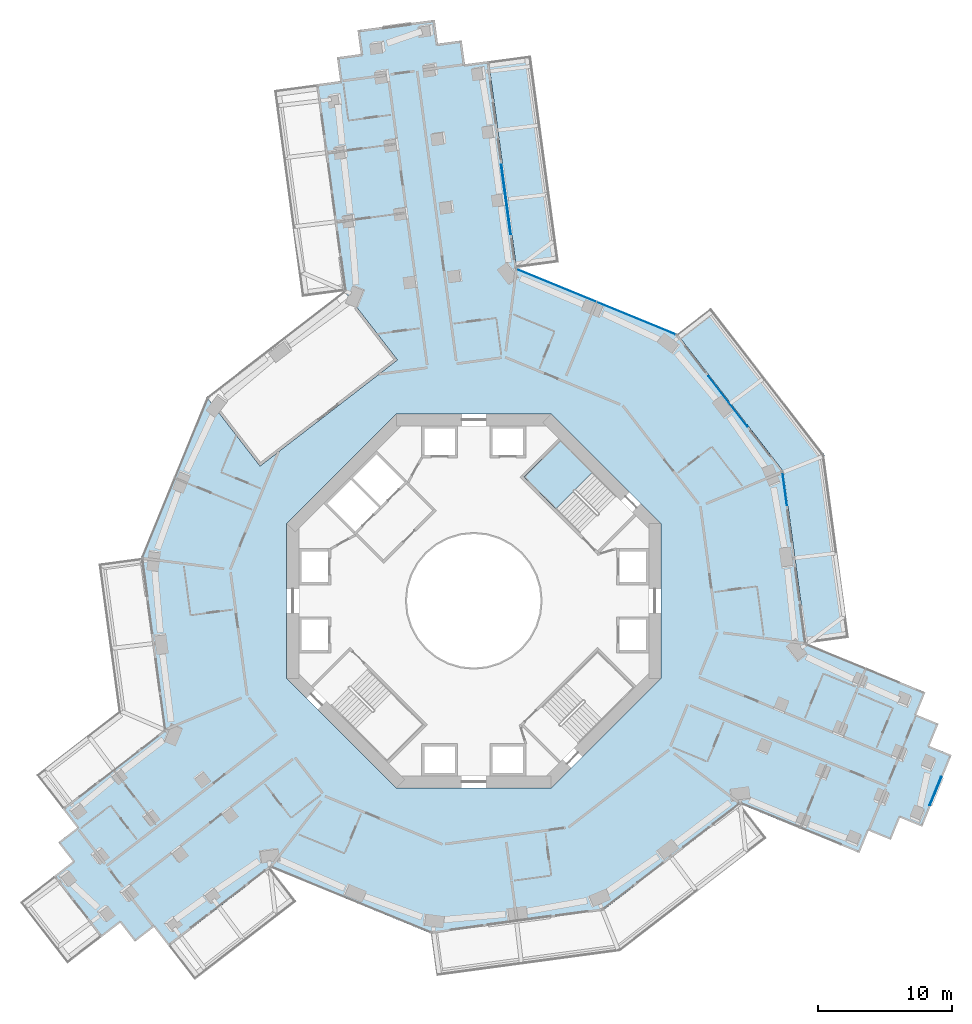
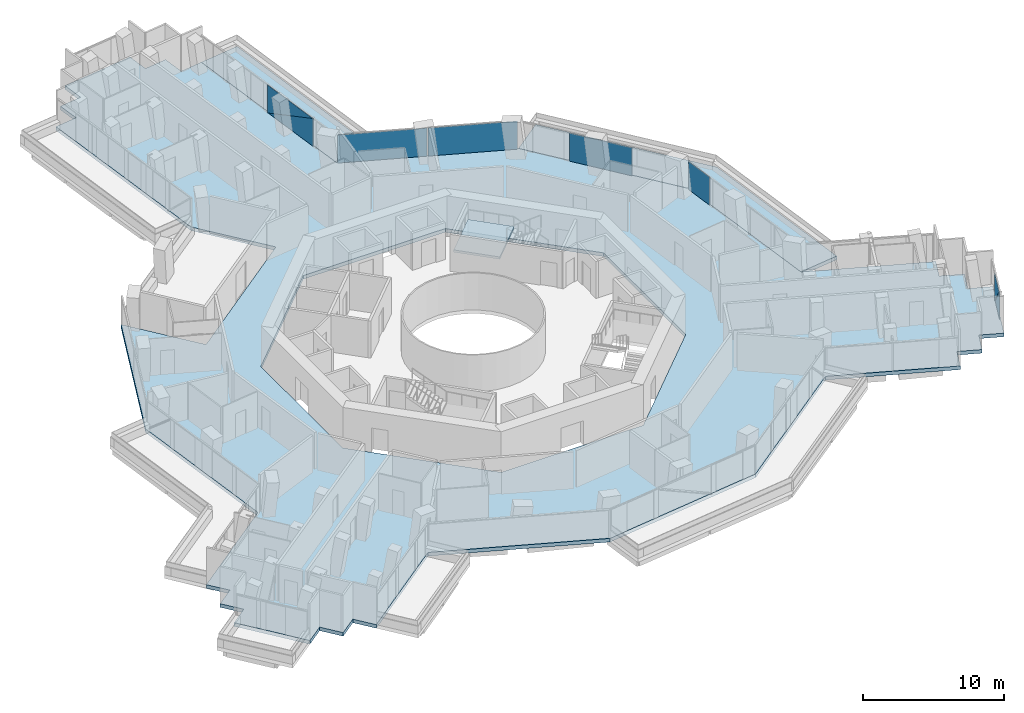
# One storey, part 16 of 27: 8 plates, 4 slabs, 6 elements without a shape of their own.
"""IFC4 building model written with IfcOpenShell, lengths in metres."""

from ifc_helpers import new_model, si_unit, direction, frame, origin, origin_2d, place, context, subcontext, project, spatial, polyline, rectangle, outline, extrude, material, layer, layer_set, type_object, element, aggregate, save


model = new_model("IFC4")

# Units and contexts
model_context = context("Model", 3, precision=1e-05, world=origin(), true_north=direction((0.0, 1.0)))
body_context = subcontext(model_context, "Body", "Model", "MODEL_VIEW")
ifc_project = project(units=[si_unit("LENGTHUNIT", "METRE"), si_unit("AREAUNIT", "SQUARE_METRE"), si_unit("VOLUMEUNIT", "CUBIC_METRE"), si_unit("PLANEANGLEUNIT", "RADIAN"), si_unit("MASSUNIT", "GRAM", prefix="KILO")], contexts=[model_context])

# Site, building, storey
site_placement = place(None, origin())
site = spatial("IfcSite", under=ifc_project, at=site_placement, CompositionType="ELEMENT")
building_placement = place(site_placement, origin())
building = spatial("IfcBuilding", under=site, at=building_placement, Name="Verdalira Terraces Hotel", CompositionType="ELEMENT")
storey_placement = place(building_placement, frame((0.0, 0.0, 64.5)))
storey = spatial("IfcBuildingStorey", under=building, at=storey_placement, Name="L14", CompositionType="ELEMENT", Elevation=64.5)

# Slabs
ifc_material_1 = material(Name="Precast concrete C40/50", Category="concrete")
ifc_layer_1 = layer(ifc_material_1, 0.31005859375)
ifc_layer_set_1 = layer_set([ifc_layer_1], Name="Balcony deck 310")
slab_type_1 = type_object("IfcSlabType", Name="Balcony deck 310", PredefinedType="FLOOR", material=ifc_layer_set_1)
slab_1_placement = place(storey_placement, frame((0.0, 0.0, -0.310059)))
element("IfcSlab", 1, at=slab_1_placement, inside=storey, type_object=slab_type_1, Name="Balcony deck", PredefinedType="FLOOR", context=body_context, shape_type="SweptSolid", body=[
    extrude(outline(polyline([(17.758301, 21.928223), (15.22583, 19.972168), (23.172119, 9.683594), (24.909424, -3.199707), (28.080566, -2.772217), (26.22876, 10.960938), (17.758301, 21.928223)])), origin(), (0.0, 0.0, 1.0), 0.310059),
])
slab_2_placement = place(storey_placement, frame((0.0, 0.0, -0.310059)))
element("IfcSlab", 2, at=slab_2_placement, inside=storey, type_object=slab_type_1, Name="Balcony deck", PredefinedType="FLOOR", context=body_context, shape_type="SweptSolid", body=[
    extrude(outline(polyline([(4.283447, 40.817871), (1.112305, 40.390137), (3.199707, 24.909424), (6.371094, 25.337158), (4.283447, 40.817871)])), origin(), (0.0, 0.0, 1.0), 0.310059),
])

# Curtain wall, plate
ifc_material_2 = material(Name="Clear glass", Category="glass")
ifc_layer_2 = layer(ifc_material_2, 0.14990234375)
ifc_layer_set_2 = layer_set([ifc_layer_2], Name="CW1 curtain wall")
curtain_wall_type_1 = type_object("IfcCurtainWallType", Name="CW1 curtain wall", PredefinedType="NOTDEFINED", material=ifc_layer_set_2)
curtain_wall_1_placement = place(storey_placement, origin())
curtain_wall_1 = element("IfcCurtainWall", 3, at=curtain_wall_1_placement, inside=storey, type_object=curtain_wall_type_1, Name="CW1 curtain wall L14 edge 39", PredefinedType="NOTDEFINED")
ifc_material_3 = material(Name="Clear glass", Category="glass")
ifc_layer_3 = layer(ifc_material_3, 0.028076171875)
ifc_layer_set_3 = layer_set([ifc_layer_3], Name="CW1 glass unit 28")
plate_type_1 = type_object("IfcPlateType", Name="CW1 glass unit 28", PredefinedType="CURTAIN_PANEL", material=ifc_layer_set_3)
plate_1_placement = place(storey_placement, frame((23.27417, 8.365479, 0.0), z_axis=(0.0, 0.0, 1.0), x_axis=(-0.133640259, 0.991029909, 0.0)))
plate_1 = element("IfcPlate", 4, at=plate_1_placement, type_object=plate_type_1, Name="CW1 glass unit", PredefinedType="CURTAIN_PANEL", context=body_context, shape_type="SweptSolid", body=[
    extrude(rectangle(XDim=2.439209, YDim=0.028076, at=origin_2d()), origin(), (0.0, 0.0, 1.0), 2.425049),
])
aggregate(curtain_wall_1, [plate_1])

curtain_wall_2_placement = place(storey_placement, origin())
curtain_wall_2 = element("IfcCurtainWall", 5, at=curtain_wall_2_placement, inside=storey, type_object=curtain_wall_type_1, Name="CW1 curtain wall L14 edge 40", PredefinedType="NOTDEFINED")
plate_2_placement = place(storey_placement, frame((19.030518, 14.92334, 0.0), z_axis=(0.0, 0.0, 1.0), x_axis=(-0.611250814, 0.791436948, 0.0)))
plate_2 = element("IfcPlate", 6, at=plate_2_placement, type_object=plate_type_1, Name="CW1 glass unit", PredefinedType="CURTAIN_PANEL", context=body_context, shape_type="SweptSolid", body=[
    extrude(rectangle(XDim=4.759277, YDim=0.028076, at=origin_2d()), origin(), (0.0, 0.0, 1.0), 2.425049),
])
aggregate(curtain_wall_2, [plate_2])

# Curtain wall, plates
curtain_wall_3_placement = place(storey_placement, origin())
curtain_wall_3 = element("IfcCurtainWall", 7, at=curtain_wall_3_placement, inside=storey, type_object=curtain_wall_type_1, Name="CW1 curtain wall L14 edge 41", PredefinedType="NOTDEFINED")
plate_3_placement = place(storey_placement, frame((12.158447, 21.150391, 0.0), z_axis=(0.0, 0.0, 1.0), x_axis=(-0.925077207, 0.379779096, 0.0)))
plate_3 = element("IfcPlate", 8, at=plate_3_placement, type_object=plate_type_1, Name="CW1 glass unit", PredefinedType="CURTAIN_PANEL", context=body_context, shape_type="SweptSolid", body=[
    extrude(rectangle(XDim=6.369873, YDim=0.028076, at=origin_2d()), origin(), (0.0, 0.0, 1.0), 2.425049),
])
plate_4_placement = place(storey_placement, frame((6.19165, 23.600098, 0.0), z_axis=(0.0, 0.0, 1.0), x_axis=(-0.925077207, 0.379779096, 0.0)))
plate_4 = element("IfcPlate", 9, at=plate_4_placement, type_object=plate_type_1, Name="CW1 glass unit", PredefinedType="CURTAIN_PANEL", context=body_context, shape_type="SweptSolid", body=[
    extrude(rectangle(XDim=6.409912, YDim=0.028076, at=origin_2d()), origin(), (0.0, 0.0, 1.0), 2.425049),
])
aggregate(curtain_wall_3, [plate_3, plate_4])

ifc_material_4 = material(Name="Clear glass", Category="glass")
ifc_layer_4 = layer(ifc_material_4, 0.14990234375)
ifc_layer_set_4 = layer_set([ifc_layer_4], Name="CW2 curtain wall")
curtain_wall_type_2 = type_object("IfcCurtainWallType", Name="CW2 curtain wall", PredefinedType="NOTDEFINED", material=ifc_layer_set_4)
curtain_wall_4_placement = place(storey_placement, origin())
curtain_wall_4 = element("IfcCurtainWall", 10, at=curtain_wall_4_placement, inside=storey, type_object=curtain_wall_type_2, Name="CW2 curtain wall L14 edge 0", PredefinedType="NOTDEFINED")
ifc_material_5 = material(Name="Clear glass", Category="glass")
ifc_layer_5 = layer(ifc_material_5, 0.031982421875)
ifc_layer_set_5 = layer_set([ifc_layer_5], Name="CW2 glass unit 32")
plate_type_2 = type_object("IfcPlateType", Name="CW2 glass unit 32", PredefinedType="CURTAIN_PANEL", material=ifc_layer_set_5)
plate_5_placement = place(storey_placement, frame((2.415527, 30.044922, 1.212402), z_axis=(0.991029909, 0.133640259, 0.0), x_axis=(-0.133640259, 0.991029909, 0.0)))
plate_5 = element("IfcPlate", 11, at=plate_5_placement, type_object=plate_type_2, Name="CW2 glass unit", PredefinedType="CURTAIN_PANEL", context=body_context, shape_type="SweptSolid", body=[
    extrude(outline(polyline([(-2.622559, -1.212402), (2.622559, -1.212402), (-2.622559, 1.212402), (-2.622559, -1.212402)])), origin(), (0.0, 0.0, 1.0), 0.031982),
])
plate_6_placement = place(storey_placement, frame((2.382812, 30.040527, 1.212402), z_axis=(0.991029909, 0.133640259, 0.0), x_axis=(-0.133640259, 0.991029909, 0.0)))
plate_6 = element("IfcPlate", 12, at=plate_6_placement, type_object=plate_type_2, Name="CW2 glass unit", PredefinedType="CURTAIN_PANEL", context=body_context, shape_type="SweptSolid", body=[
    extrude(outline(polyline([(2.622559, -1.212402), (2.622559, 1.212402), (-2.622559, 1.212402), (2.622559, -1.212402)])), origin(), (0.0, 0.0, 1.0), 0.031982),
])
aggregate(curtain_wall_4, [plate_5, plate_6])

ifc_material_6 = material(Name="Clear glass", Category="glass")
ifc_layer_6 = layer(ifc_material_6, 0.14990234375)
ifc_layer_set_6 = layer_set([ifc_layer_6], Name="CW3 curtain wall")
curtain_wall_type_3 = type_object("IfcCurtainWallType", Name="CW3 curtain wall", PredefinedType="NOTDEFINED", material=ifc_layer_set_6)
curtain_wall_5_placement = place(storey_placement, origin())
curtain_wall_5 = element("IfcCurtainWall", 13, at=curtain_wall_5_placement, inside=storey, type_object=curtain_wall_type_3, Name="CW3 curtain wall L14 edge 33", PredefinedType="NOTDEFINED")
ifc_material_7 = material(Name="Clear glass", Category="glass")
ifc_layer_7 = layer(ifc_material_7, 0.035888671875)
ifc_layer_set_7 = layer_set([ifc_layer_7], Name="CW3 glass unit 36")
plate_type_3 = type_object("IfcPlateType", Name="CW3 glass unit 36", PredefinedType="CURTAIN_PANEL", material=ifc_layer_set_7)
plate_7_placement = place(storey_placement, frame((34.565674, -14.246338, 1.212402), z_axis=(0.925077207, -0.379779096, 0.0), x_axis=(0.379779096, 0.925077207, 0.0)))
plate_7 = element("IfcPlate", 14, at=plate_7_placement, type_object=plate_type_3, Name="CW3 glass unit", PredefinedType="CURTAIN_PANEL", context=body_context, shape_type="SweptSolid", body=[
    extrude(outline(polyline([(-1.141602, -1.212402), (1.141602, -1.212402), (-1.141602, 1.212402), (-1.141602, -1.212402)])), origin(), (0.0, 0.0, 1.0), 0.035889),
])
plate_8_placement = place(storey_placement, frame((34.53125, -14.232178, 1.212402), z_axis=(0.925077207, -0.379779096, 0.0), x_axis=(0.379779096, 0.925077207, 0.0)))
plate_8 = element("IfcPlate", 15, at=plate_8_placement, type_object=plate_type_3, Name="CW3 glass unit", PredefinedType="CURTAIN_PANEL", context=body_context, shape_type="SweptSolid", body=[
    extrude(outline(polyline([(1.141602, -1.212402), (1.141602, 1.212402), (-1.141602, 1.212402), (1.141602, -1.212402)])), origin(), (0.0, 0.0, 1.0), 0.035889),
])
aggregate(curtain_wall_5, [plate_7, plate_8])

# Stair, slab
ifc_material_8 = material(Name="Concrete C40", Category="concrete")
stair_type = type_object("IfcStairType", Name="Core stair 20 risers 1900 mm wide", PredefinedType="HALF_TURN_STAIR", material=ifc_material_8)
stair_placement = place(storey_placement, origin())
stair = element("IfcStair", 16, at=stair_placement, inside=storey, type_object=stair_type, Name="L14 Exit stair ST1", PredefinedType="HALF_TURN_STAIR")
ifc_material_9 = material(Name="Concrete C40", Category="concrete")
ifc_layer_8 = layer(ifc_material_9, 0.199951171875)
ifc_layer_set_8 = layer_set([ifc_layer_8], Name="Core stair landing 200 mm")
slab_type_2 = type_object("IfcSlabType", Name="Core stair landing 200 mm", PredefinedType="LANDING", material=ifc_layer_set_8)
slab_3_placement = place(storey_placement, frame((0.0, 0.0, 1.550049)))
slab_3 = element("IfcSlab", 17, at=slab_3_placement, type_object=slab_type_2, Name="ST1 landing 1", PredefinedType="LANDING", context=body_context, shape_type="SweptSolid", body=[
    extrude(outline(polyline([(8.895752, 9.630371), (6.505371, 12.020752), (3.747559, 9.263184), (6.137939, 6.872803), (8.895752, 9.630371)])), origin(), (0.0, 0.0, 1.0), 0.199951),
])
aggregate(stair, [slab_3])

# Slab
ifc_material_10 = material(Name="Concrete C40", Category="concrete")
ifc_layer_9 = layer(ifc_material_10, 0.31005859375)
ifc_layer_set_9 = layer_set([ifc_layer_9], Name="Floor slab 310 C40")
slab_type_3 = type_object("IfcSlabType", Name="Floor slab 310 C40", PredefinedType="FLOOR", material=ifc_layer_set_9)
slab_4_placement = place(storey_placement, frame((0.0, 0.0, -0.310059)))
element("IfcSlab", 18, at=slab_4_placement, inside=storey, type_object=slab_type_3, Name="Floor slab L14", PredefinedType="FLOOR", context=body_context, shape_type="SweptSolid", body=[
    extrude(outline(polyline([(-9.987305, 38.893555), (-11.77124, 38.652832), (-9.683594, 23.172607), (-9.683594, 23.172852), (-5.709717, 18.027588), (-15.999268, 10.080811), (-19.972412, 15.225342), (-24.909424, 3.199707), (-23.172119, -9.683594), (-30.786621, -15.564453), (-29.686279, -16.989014), (-31.11084, -18.089111), (-30.010498, -19.513916), (-31.435059, -20.614014), (-27.889893, -25.204346), (-26.465332, -24.104248), (-25.36499, -25.528809), (-23.94043, -24.428467), (-22.840088, -25.853027), (-15.22583, -19.972412), (-3.199707, -24.909424), (9.683594, -23.172119), (19.972412, -15.22583), (28.872314, -18.879639), (29.555908, -17.2146), (31.221191, -17.898193), (31.904785, -16.23291), (33.569824, -16.916504), (35.772705, -11.551025), (34.107422, -10.867432), (34.791016, -9.202393), (33.125977, -8.518799), (33.80957, -6.853516), (24.909424, -3.199707), (23.172119, 9.683594), (15.22583, 19.972412), (3.199707, 24.909424), (1.112305, 40.390137), (-0.671631, 40.149658), (-0.912109, 41.933594), (-2.696045, 41.693115), (-2.936523, 43.476807), (-8.68457, 42.70166), (-8.444092, 40.917969), (-10.227783, 40.677246), (-9.987305, 38.893555)]), holes=[polyline([(5.799072, 14.0), (14.0, 5.799072), (14.0, -5.799072), (5.799072, -14.0), (-5.799072, -14.0), (-14.0, -5.799072), (-14.0, 5.799072), (-5.799072, 14.0), (5.799072, 14.0)])]), origin(), (0.0, 0.0, 1.0), 0.310059),
])

save(model, "model.ifc")
